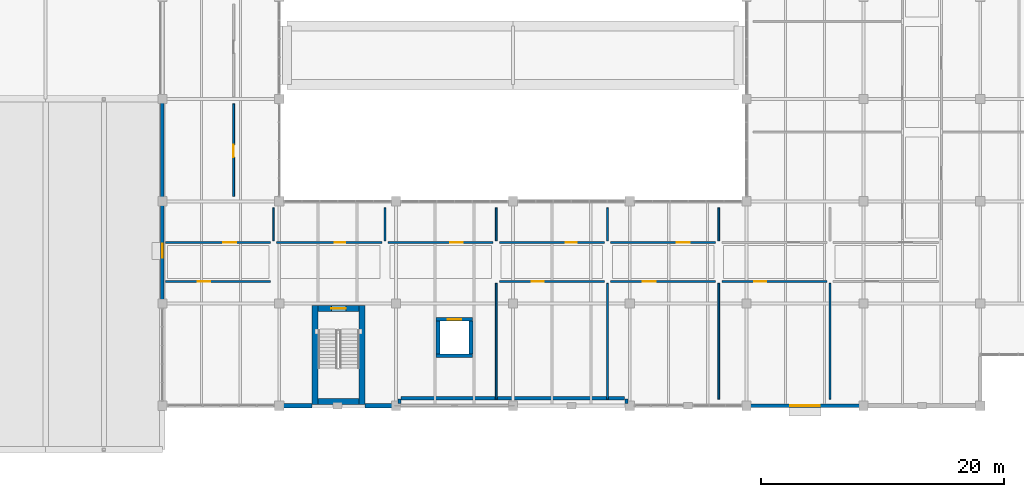
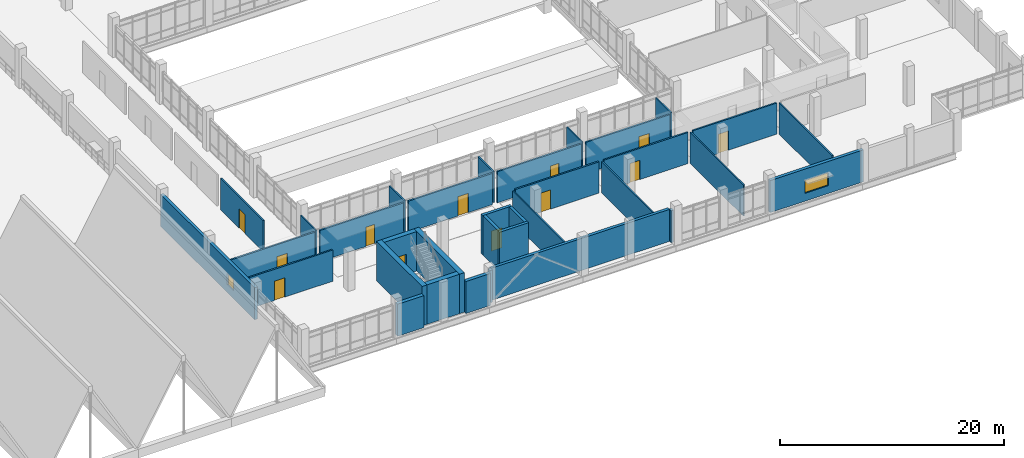
# One storey, part 60 of 86: 34 walls, 12 doors, 2 windows, 14 openings.
"""IFC4 building model written with IfcOpenShell, lengths in metres."""

from ifc_helpers import new_model, si_unit, direction, frame, frame_2d, origin, place, context, subcontext, project, spatial, rectangle, extrude, material, layer, layer_set, type_object, element, fill, save


model = new_model("IFC4")

# Units and contexts
model_context = context("Model", 3, precision=1e-05, world=origin(), true_north=direction((0.0, 1.0)))
body_context = subcontext(model_context, "Body", "Model", "MODEL_VIEW")
ifc_project = project(units=[si_unit("LENGTHUNIT", "METRE"), si_unit("AREAUNIT", "SQUARE_METRE"), si_unit("VOLUMEUNIT", "CUBIC_METRE"), si_unit("PLANEANGLEUNIT", "RADIAN"), si_unit("MASSUNIT", "GRAM", prefix="KILO")], contexts=[model_context])

# Site, building, storey
site_placement = place(None, origin())
site = spatial("IfcSite", under=ifc_project, at=site_placement, CompositionType="ELEMENT")
building_placement = place(site_placement, origin())
building = spatial("IfcBuilding", under=site, at=building_placement, Name="Oolite Switchyard Hospital", CompositionType="ELEMENT")
storey_placement = place(building_placement, frame((0.0, 0.0, 13.5)))
storey = spatial("IfcBuildingStorey", under=building, at=storey_placement, Name="L03", CompositionType="ELEMENT", Elevation=13.5)

# Walls
ifc_material_1 = material(Name="Precast oolitic limestone architectural concrete C40/50", Category="masonry")
ifc_layer_1 = layer(ifc_material_1, 0.260009765625)
ifc_layer_set_1 = layer_set([ifc_layer_1], Name="WAL-EXT-260")
wall_type_1 = type_object("IfcWallType", Name="WAL-EXT-260", PredefinedType="SOLIDWALL", material=ifc_layer_set_1)
for number, where, z_axis, x_axis, name in (
    (1, (172.52001953125, 8.60009765625, 0.0), (0.0, 0.0, 1.0), (0.0, 1.0, 0.0), "L03 Brace Alcove Cheek Wall 172"),
    (2, (153.8798828125, 8.60009765625, 0.0), (0.0, 0.0, 1.0), (0.0, 1.0, 0.0), "L03 Brace Alcove Cheek Wall 173"),
):
    element("IfcWall", number, at=place(storey_placement, frame(where, z_axis=z_axis, x_axis=x_axis)), inside=storey, type_object=wall_type_1, Name=name, PredefinedType="SOLIDWALL", context=body_context, shape_type="SweptSolid", body=[
        extrude(rectangle(XDim=0.35986328125, YDim=0.260009765625, at=frame_2d((0.179931640625, 0.0))), origin(), (0.0, 0.0, 1.0), 3.489990234375),
    ])
ifc_layer_2 = layer(ifc_material_1, 0.300048828125)
ifc_layer_set_2 = layer_set([ifc_layer_2], Name="WAL-EXT-300")
wall_type_2 = type_object("IfcWallType", Name="WAL-EXT-300", PredefinedType="SOLIDWALL", material=ifc_layer_set_2)
wall_1_placement = place(storey_placement, frame((172.3798828125, 9.02001953125, 0.0), z_axis=(0.0, 0.0, 1.0), x_axis=(-1.0, 0.0, 0.0)))
element("IfcWall", 3, at=wall_1_placement, inside=storey, type_object=wall_type_2, Name="L03 Exterior Spandrel Wall 174", PredefinedType="SOLIDWALL", context=body_context, shape_type="SweptSolid", body=[
    extrude(rectangle(XDim=18.35986328125, YDim=0.300048828125, at=frame_2d((9.179931640625, 0.0))), origin(), (0.0, 0.0, 1.0), 3.489990234375),
])

# Wall, opening, window
wall_2_placement = place(storey_placement, frame((134.39990234375, 16.800048828125, 0.0), z_axis=(0.0, 0.0, 1.0), x_axis=(0.0, 1.0, 0.0)))
wall_2 = element("IfcWall", 4, at=wall_2_placement, inside=storey, type_object=wall_type_2, Name="L03 Exterior Spandrel Wall 237", PredefinedType="SOLIDWALL", context=body_context, shape_type="SweptSolid", body=[
    extrude(rectangle(XDim=16.800048828125, YDim=0.300048828125, at=frame_2d((8.39990234375, 0.0))), origin(), (0.0, 0.0, 1.0), 3.489990234375),
])
opening_1_placement = place(wall_2_placement, frame((3.756103515625, 0.0, 0.85009765625)))
opening_1 = element("IfcOpeningElement", 5, at=opening_1_placement, cuts=wall_2, Name="Opening WN-0139", PredefinedType="OPENING", context=body_context, shape_type="SweptSolid", body=[
    extrude(rectangle(XDim=1.14990234375, YDim=1.199951171875, at=frame_2d((0.574951171875, 0.60009765625))), frame((0.0, 0.16015625, 0.0), z_axis=(0.0, -1.0, 0.0), x_axis=(1.0, 0.0, 0.0)), (0.0, 0.0, 1.0), 0.320068359375),
])
ifc_material_2 = material(Name="Thermally broken aluminum frame with laminated impact glazing", Category="aluminium")
window_type_1 = type_object("IfcWindowType", Name="WIN-IMP-115X120", PartitioningType="SINGLE_PANEL", PredefinedType="WINDOW", material=ifc_material_2)
window_1_placement = place(opening_1_placement, origin())
window_1 = element("IfcWindow", 6, at=window_1_placement, inside=storey, type_object=window_type_1, Name="L03 Hurricane Impact Window WN-0139", OverallHeight=1.199951171875, OverallWidth=1.14990234375, PartitioningType="SINGLE_PANEL", PredefinedType="WINDOW", context=body_context, shape_type="SweptSolid", body=[
    extrude(rectangle(XDim=1.14990234375, YDim=1.199951171875, at=frame_2d((0.574951171875, 0.60009765625))), frame((0.0, 0.030029296875, 0.0), z_axis=(0.0, -1.0, 0.0), x_axis=(1.0, 0.0, 0.0)), (0.0, 0.0, 1.0), 0.06005859375),
])
fill(opening_1, window_1)

ifc_layer_3 = layer(ifc_material_1, 0.320068359375)
ifc_layer_set_3 = layer_set([ifc_layer_3], Name="WAL-EXT-320")
wall_type_3 = type_object("IfcWallType", Name="WAL-EXT-320", PredefinedType="SOLIDWALL", material=ifc_layer_set_3)
wall_3_placement = place(storey_placement, frame((192.0, 8.39990234375, 0.0), z_axis=(0.0, 0.0, 1.0), x_axis=(-1.0, 0.0, 0.0)))
wall_3 = element("IfcWall", 7, at=wall_3_placement, inside=storey, type_object=wall_type_3, Name="L03 Exterior Spandrel Wall 175", PredefinedType="SOLIDWALL", context=body_context, shape_type="SweptSolid", body=[
    extrude(rectangle(XDim=9.60009765625, YDim=0.320068359375, at=frame_2d((4.800048828125, 0.0))), origin(), (0.0, 0.0, 1.0), 3.489990234375),
])
opening_2_placement = place(wall_3_placement, frame((3.60009765625, 0.0, 0.85009765625)))
opening_2 = element("IfcOpeningElement", 8, at=opening_2_placement, cuts=wall_3, Name="Opening WN-0065", PredefinedType="OPENING", context=body_context, shape_type="SweptSolid", body=[
    extrude(rectangle(XDim=2.39990234375, YDim=1.39990234375, at=frame_2d((1.199951171875, 0.699951171875))), frame((0.0, 0.169921875, 0.0), z_axis=(0.0, -1.0, 0.0), x_axis=(1.0, 0.0, 0.0)), (0.0, 0.0, 1.0), 0.340087890625),
])
window_type_2 = type_object("IfcWindowType", Name="WIN-IMP-240X140", PartitioningType="SINGLE_PANEL", PredefinedType="WINDOW", material=ifc_material_2)
window_2_placement = place(opening_2_placement, origin())
window_2 = element("IfcWindow", 9, at=window_2_placement, inside=storey, type_object=window_type_2, Name="L03 Hurricane Impact Window WN-0065", OverallHeight=1.39990234375, OverallWidth=2.39990234375, PartitioningType="SINGLE_PANEL", PredefinedType="WINDOW", context=body_context, shape_type="SweptSolid", body=[
    extrude(rectangle(XDim=2.39990234375, YDim=1.39990234375, at=frame_2d((1.199951171875, 0.699951171875))), frame((0.0, 0.030029296875, 0.0), z_axis=(0.0, -1.0, 0.0), x_axis=(1.0, 0.0, 0.0)), (0.0, 0.0, 1.0), 0.06005859375),
])
fill(opening_2, window_2)

# Walls
ifc_layer_4 = layer(ifc_material_1, 0.360107421875)
ifc_layer_set_4 = layer_set([ifc_layer_4], Name="WAL-EXT-360")
wall_type_4 = type_object("IfcWallType", Name="WAL-EXT-360", PredefinedType="SOLIDWALL", material=ifc_layer_set_4)
wall_4_placement = place(storey_placement, frame((153.60009765625, 8.39990234375, 0.0), z_axis=(0.0, 0.0, 1.0), x_axis=(-1.0, 0.0, 0.0)))
element("IfcWall", 10, at=wall_4_placement, inside=storey, type_object=wall_type_4, Name="L03 Exterior Spandrel Wall 170", PredefinedType="SOLIDWALL", context=body_context, shape_type="SweptSolid", body=[
    extrude(rectangle(XDim=2.5400390625, YDim=0.360107421875, at=frame_2d((1.27001953125, 0.0))), origin(), (0.0, 0.0, 1.0), 3.489990234375),
])
ifc_layer_5 = layer(ifc_material_1, 0.3798828125)
ifc_layer_set_5 = layer_set([ifc_layer_5], Name="WAL-EXT-380")
wall_type_5 = type_object("IfcWallType", Name="WAL-EXT-380", PredefinedType="SOLIDWALL", material=ifc_layer_set_5)
wall_5_placement = place(storey_placement, frame((146.699951171875, 8.39990234375, 0.0), z_axis=(0.0, 0.0, 1.0), x_axis=(-1.0, 0.0, 0.0)))
element("IfcWall", 11, at=wall_5_placement, inside=storey, type_object=wall_type_5, Name="L03 Exterior Spandrel Wall 171", PredefinedType="SOLIDWALL", context=body_context, shape_type="SweptSolid", body=[
    extrude(rectangle(XDim=2.699951171875, YDim=0.3798828125, at=frame_2d((1.35009765625, 0.0))), origin(), (0.0, 0.0, 1.0), 3.489990234375),
])
ifc_material_3 = material(Name="Moisture-resistant gypsum board on steel studs", Category="steel")
ifc_layer_6 = layer(ifc_material_3, 0.135009765625)
ifc_layer_set_6 = layer_set([ifc_layer_6], Name="WAL-PART-135")
wall_type_6 = type_object("IfcWallType", Name="WAL-PART-135", PredefinedType="PARTITIONING", material=ifc_layer_set_6)
for number, where, z_axis, x_axis, name in (
    (12, (143.54296875, 21.949951171875, 0.0), (0.0, 0.0, 1.0), (0.0, 1.0, 0.0), "L03 Interior Partition 705"),
    (13, (152.68603515625, 21.949951171875, 0.0), (0.0, 0.0, 1.0), (0.0, 1.0, 0.0), "L03 Interior Partition 707"),
):
    element("IfcWall", number, at=place(storey_placement, frame(where, z_axis=z_axis, x_axis=x_axis)), inside=storey, type_object=wall_type_6, Name=name, PredefinedType="PARTITIONING", context=body_context, shape_type="SweptSolid", body=[
        extrude(rectangle(XDim=2.699951171875, YDim=0.135009765625, at=frame_2d((1.35009765625, 0.0))), origin(), (0.0, 0.0, 1.0), 3.39990234375),
    ])
wall_6_placement = place(storey_placement, frame((161.8291015625, 8.949951171875, 0.0), z_axis=(0.0, 0.0, 1.0), x_axis=(0.0, 1.0, 0.0)))
element("IfcWall", 14, at=wall_6_placement, inside=storey, type_object=wall_type_6, Name="L03 Interior Partition 709", PredefinedType="PARTITIONING", context=body_context, shape_type="SweptSolid", body=[
    extrude(rectangle(XDim=9.5, YDim=0.135009765625, at=frame_2d((4.75, 0.0))), origin(), (0.0, 0.0, 1.0), 3.39990234375),
])
wall_7_placement = place(storey_placement, frame((161.8291015625, 21.949951171875, 0.0), z_axis=(0.0, 0.0, 1.0), x_axis=(0.0, 1.0, 0.0)))
element("IfcWall", 15, at=wall_7_placement, inside=storey, type_object=wall_type_6, Name="L03 Interior Partition 711", PredefinedType="PARTITIONING", context=body_context, shape_type="SweptSolid", body=[
    extrude(rectangle(XDim=2.699951171875, YDim=0.135009765625, at=frame_2d((1.35009765625, 0.0))), origin(), (0.0, 0.0, 1.0), 3.39990234375),
])
wall_8_placement = place(storey_placement, frame((170.971923828125, 8.949951171875, 0.0), z_axis=(0.0, 0.0, 1.0), x_axis=(0.0, 1.0, 0.0)))
element("IfcWall", 16, at=wall_8_placement, inside=storey, type_object=wall_type_6, Name="L03 Interior Partition 713", PredefinedType="PARTITIONING", context=body_context, shape_type="SweptSolid", body=[
    extrude(rectangle(XDim=9.5, YDim=0.135009765625, at=frame_2d((4.75, 0.0))), origin(), (0.0, 0.0, 1.0), 3.39990234375),
])
wall_9_placement = place(storey_placement, frame((170.971923828125, 21.949951171875, 0.0), z_axis=(0.0, 0.0, 1.0), x_axis=(0.0, 1.0, 0.0)))
element("IfcWall", 17, at=wall_9_placement, inside=storey, type_object=wall_type_6, Name="L03 Interior Partition 715", PredefinedType="PARTITIONING", context=body_context, shape_type="SweptSolid", body=[
    extrude(rectangle(XDim=2.699951171875, YDim=0.135009765625, at=frame_2d((1.35009765625, 0.0))), origin(), (0.0, 0.0, 1.0), 3.39990234375),
])
wall_10_placement = place(storey_placement, frame((180.114990234375, 8.949951171875, 0.0), z_axis=(0.0, 0.0, 1.0), x_axis=(0.0, 1.0, 0.0)))
element("IfcWall", 18, at=wall_10_placement, inside=storey, type_object=wall_type_6, Name="L03 Interior Partition 717", PredefinedType="PARTITIONING", context=body_context, shape_type="SweptSolid", body=[
    extrude(rectangle(XDim=9.5, YDim=0.135009765625, at=frame_2d((4.75, 0.0))), origin(), (0.0, 0.0, 1.0), 3.39990234375),
])
wall_11_placement = place(storey_placement, frame((180.114990234375, 21.949951171875, 0.0), z_axis=(0.0, 0.0, 1.0), x_axis=(0.0, 1.0, 0.0)))
element("IfcWall", 19, at=wall_11_placement, inside=storey, type_object=wall_type_6, Name="L03 Interior Partition 719", PredefinedType="PARTITIONING", context=body_context, shape_type="SweptSolid", body=[
    extrude(rectangle(XDim=2.699951171875, YDim=0.135009765625, at=frame_2d((1.35009765625, 0.0))), origin(), (0.0, 0.0, 1.0), 3.39990234375),
])
wall_12_placement = place(storey_placement, frame((189.258056640625, 8.949951171875, 0.0), z_axis=(0.0, 0.0, 1.0), x_axis=(0.0, 1.0, 0.0)))
element("IfcWall", 20, at=wall_12_placement, inside=storey, type_object=wall_type_6, Name="L03 Interior Partition 721", PredefinedType="PARTITIONING", context=body_context, shape_type="SweptSolid", body=[
    extrude(rectangle(XDim=9.5, YDim=0.135009765625, at=frame_2d((4.75, 0.0))), origin(), (0.0, 0.0, 1.0), 3.39990234375),
])

# Wall, opening, door
ifc_layer_7 = layer(ifc_material_3, 0.14990234375)
ifc_layer_set_7 = layer_set([ifc_layer_7], Name="WAL-PART-150")
wall_type_7 = type_object("IfcWallType", Name="WAL-PART-150", PredefinedType="PARTITIONING", material=ifc_layer_set_7)
wall_13_placement = place(storey_placement, frame((140.25, 25.60009765625, 0.0), z_axis=(0.0, 0.0, 1.0), x_axis=(0.0, 1.0, 0.0)))
wall_13 = element("IfcWall", 21, at=wall_13_placement, inside=storey, type_object=wall_type_7, Name="L03 Interior Partition 981", PredefinedType="PARTITIONING", context=body_context, shape_type="SweptSolid", body=[
    extrude(rectangle(XDim=7.599853515625, YDim=0.14990234375, at=frame_2d((3.7998046875, 0.0))), origin(), (0.0, 0.0, 1.0), 3.39990234375),
])
opening_3_placement = place(wall_13_placement, frame((3.199951171875, 0.0, 0.0)))
opening_3 = element("IfcOpeningElement", 22, at=opening_3_placement, cuts=wall_13, Name="Opening D-0549", PredefinedType="OPENING", context=body_context, shape_type="SweptSolid", body=[
    extrude(rectangle(XDim=1.050048828125, YDim=2.10009765625, at=frame_2d((0.52490234375, 1.050048828125))), frame((0.0, 0.0849609375, 0.0), z_axis=(0.0, -1.0, 0.0), x_axis=(1.0, 0.0, 0.0)), (0.0, 0.0, 1.0), 0.169921875),
])
ifc_material_4 = material(Name="Solid-core antimicrobial hardwood leaf in steel frame", Category="steel")
door_type_1 = type_object("IfcDoorType", Name="DR-EXAM-105X210", OperationType="NOTDEFINED", PredefinedType="DOOR", material=ifc_material_4)
door_1_placement = place(opening_3_placement, origin())
door_1 = element("IfcDoor", 23, at=door_1_placement, inside=storey, type_object=door_type_1, Name="L03 Interior Door D-0549", OperationType="SINGLE_SWING_LEFT", OverallHeight=2.10009765625, OverallWidth=1.050048828125, PredefinedType="DOOR", context=body_context, shape_type="SweptSolid", body=[
    extrude(rectangle(XDim=1.050048828125, YDim=2.10009765625, at=frame_2d((0.52490234375, 1.050048828125))), frame((0.0, 0.02490234375, 0.0), z_axis=(0.0, -1.0, 0.0), x_axis=(1.0, 0.0, 0.0)), (0.0, 0.0, 1.0), 0.050048828125),
])
fill(opening_3, door_1)

ifc_layer_8 = layer(ifc_material_3, 0.1650390625)
ifc_layer_set_8 = layer_set([ifc_layer_8], Name="WAL-PART-165")
wall_type_8 = type_object("IfcWallType", Name="WAL-PART-165", PredefinedType="PARTITIONING", material=ifc_layer_set_8)
wall_14_placement = place(storey_placement, frame((134.64990234375, 18.60009765625, 0.0), z_axis=(0.0, 0.0, 1.0), x_axis=(1.0, 0.0, 0.0)))
wall_14 = element("IfcWall", 24, at=wall_14_placement, inside=storey, type_object=wall_type_8, Name="L03 Interior Partition 702", PredefinedType="PARTITIONING", context=body_context, shape_type="SweptSolid", body=[
    extrude(rectangle(XDim=8.64306640625, YDim=0.1650390625, at=frame_2d((4.321533203125, 0.0))), origin(), (0.0, 0.0, 1.0), 3.39990234375),
])
opening_4_placement = place(wall_14_placement, frame((2.64990234375, 0.0, 0.0)))
opening_4 = element("IfcOpeningElement", 25, at=opening_4_placement, cuts=wall_14, Name="Opening D-0391", PredefinedType="OPENING", context=body_context, shape_type="SweptSolid", body=[
    extrude(rectangle(XDim=1.050048828125, YDim=2.10009765625, at=frame_2d((0.52490234375, 1.050048828125))), frame((0.0, 0.092529296875, 0.0), z_axis=(0.0, -1.0, 0.0), x_axis=(1.0, 0.0, 0.0)), (0.0, 0.0, 1.0), 0.18505859375),
])
door_2_placement = place(opening_4_placement, origin())
door_2 = element("IfcDoor", 26, at=door_2_placement, inside=storey, type_object=door_type_1, Name="L03 Interior Door D-0391", OperationType="SINGLE_SWING_LEFT", OverallHeight=2.10009765625, OverallWidth=1.050048828125, PredefinedType="DOOR", context=body_context, shape_type="SweptSolid", body=[
    extrude(rectangle(XDim=1.050048828125, YDim=2.10009765625, at=frame_2d((0.52490234375, 1.050048828125))), frame((0.0, 0.02490234375, 0.0), z_axis=(0.0, -1.0, 0.0), x_axis=(1.0, 0.0, 0.0)), (0.0, 0.0, 1.0), 0.050048828125),
])
fill(opening_4, door_2)

wall_15_placement = place(storey_placement, frame((134.64990234375, 21.800048828125, 0.0), z_axis=(0.0, 0.0, 1.0), x_axis=(1.0, 0.0, 0.0)))
wall_15 = element("IfcWall", 27, at=wall_15_placement, inside=storey, type_object=wall_type_8, Name="L03 Interior Partition 703", PredefinedType="PARTITIONING", context=body_context, shape_type="SweptSolid", body=[
    extrude(rectangle(XDim=8.64306640625, YDim=0.1650390625, at=frame_2d((4.321533203125, 0.0))), origin(), (0.0, 0.0, 1.0), 3.39990234375),
])
opening_5_placement = place(wall_15_placement, frame((4.75, 0.0, 0.0)))
opening_5 = element("IfcOpeningElement", 28, at=opening_5_placement, cuts=wall_15, Name="Opening D-0392", PredefinedType="OPENING", context=body_context, shape_type="SweptSolid", body=[
    extrude(rectangle(XDim=1.050048828125, YDim=2.10009765625, at=frame_2d((0.52490234375, 1.050048828125))), frame((0.0, 0.092529296875, 0.0), z_axis=(0.0, -1.0, 0.0), x_axis=(1.0, 0.0, 0.0)), (0.0, 0.0, 1.0), 0.18505859375),
])
door_3_placement = place(opening_5_placement, origin())
door_3 = element("IfcDoor", 29, at=door_3_placement, inside=storey, type_object=door_type_1, Name="L03 Interior Door D-0392", OperationType="SINGLE_SWING_RIGHT", OverallHeight=2.10009765625, OverallWidth=1.050048828125, PredefinedType="DOOR", context=body_context, shape_type="SweptSolid", body=[
    extrude(rectangle(XDim=1.050048828125, YDim=2.10009765625, at=frame_2d((0.52490234375, 1.050048828125))), frame((0.0, 0.02490234375, 0.0), z_axis=(0.0, -1.0, 0.0), x_axis=(1.0, 0.0, 0.0)), (0.0, 0.0, 1.0), 0.050048828125),
])
fill(opening_5, door_3)

wall_16_placement = place(storey_placement, frame((143.79296875, 21.800048828125, 0.0), z_axis=(0.0, 0.0, 1.0), x_axis=(1.0, 0.0, 0.0)))
wall_16 = element("IfcWall", 30, at=wall_16_placement, inside=storey, type_object=wall_type_8, Name="L03 Interior Partition 704", PredefinedType="PARTITIONING", context=body_context, shape_type="SweptSolid", body=[
    extrude(rectangle(XDim=8.64306640625, YDim=0.1650390625, at=frame_2d((4.321533203125, 0.0))), origin(), (0.0, 0.0, 1.0), 3.39990234375),
])
opening_6_placement = place(wall_16_placement, frame((4.75, 0.0, 0.0)))
opening_6 = element("IfcOpeningElement", 31, at=opening_6_placement, cuts=wall_16, Name="Opening D-0393", PredefinedType="OPENING", context=body_context, shape_type="SweptSolid", body=[
    extrude(rectangle(XDim=0.89990234375, YDim=2.10009765625, at=frame_2d((0.449951171875, 1.050048828125))), frame((0.0, 0.092529296875, 0.0), z_axis=(0.0, -1.0, 0.0), x_axis=(1.0, 0.0, 0.0)), (0.0, 0.0, 1.0), 0.18505859375),
])
door_type_2 = type_object("IfcDoorType", Name="DR-BATH-090X210", OperationType="NOTDEFINED", PredefinedType="DOOR", material=ifc_material_4)
door_4_placement = place(opening_6_placement, origin())
door_4 = element("IfcDoor", 32, at=door_4_placement, inside=storey, type_object=door_type_2, Name="L03 Interior Door D-0393", OperationType="SINGLE_SWING_LEFT", OverallHeight=2.10009765625, OverallWidth=0.89990234375, PredefinedType="DOOR", context=body_context, shape_type="SweptSolid", body=[
    extrude(rectangle(XDim=0.89990234375, YDim=2.10009765625, at=frame_2d((0.449951171875, 1.050048828125))), frame((0.0, 0.02490234375, 0.0), z_axis=(0.0, -1.0, 0.0), x_axis=(1.0, 0.0, 0.0)), (0.0, 0.0, 1.0), 0.050048828125),
])
fill(opening_6, door_4)

wall_17_placement = place(storey_placement, frame((152.93603515625, 21.800048828125, 0.0), z_axis=(0.0, 0.0, 1.0), x_axis=(1.0, 0.0, 0.0)))
wall_17 = element("IfcWall", 33, at=wall_17_placement, inside=storey, type_object=wall_type_8, Name="L03 Interior Partition 706", PredefinedType="PARTITIONING", context=body_context, shape_type="SweptSolid", body=[
    extrude(rectangle(XDim=8.64306640625, YDim=0.1650390625, at=frame_2d((4.321533203125, 0.0))), origin(), (0.0, 0.0, 1.0), 3.39990234375),
])
opening_7_placement = place(wall_17_placement, frame((5.10009765625, 0.0, 0.0)))
opening_7 = element("IfcOpeningElement", 34, at=opening_7_placement, cuts=wall_17, Name="Opening D-0394", PredefinedType="OPENING", context=body_context, shape_type="SweptSolid", body=[
    extrude(rectangle(XDim=1.050048828125, YDim=2.10009765625, at=frame_2d((0.52490234375, 1.050048828125))), frame((0.0, 0.092529296875, 0.0), z_axis=(0.0, -1.0, 0.0), x_axis=(1.0, 0.0, 0.0)), (0.0, 0.0, 1.0), 0.18505859375),
])
door_5_placement = place(opening_7_placement, origin())
door_5 = element("IfcDoor", 35, at=door_5_placement, inside=storey, type_object=door_type_1, Name="L03 Interior Door D-0394", OperationType="SINGLE_SWING_RIGHT", OverallHeight=2.10009765625, OverallWidth=1.050048828125, PredefinedType="DOOR", context=body_context, shape_type="SweptSolid", body=[
    extrude(rectangle(XDim=1.050048828125, YDim=2.10009765625, at=frame_2d((0.52490234375, 1.050048828125))), frame((0.0, 0.02490234375, 0.0), z_axis=(0.0, -1.0, 0.0), x_axis=(1.0, 0.0, 0.0)), (0.0, 0.0, 1.0), 0.050048828125),
])
fill(opening_7, door_5)

wall_18_placement = place(storey_placement, frame((162.0791015625, 18.60009765625, 0.0), z_axis=(0.0, 0.0, 1.0), x_axis=(1.0, 0.0, 0.0)))
wall_18 = element("IfcWall", 36, at=wall_18_placement, inside=storey, type_object=wall_type_8, Name="L03 Interior Partition 708", PredefinedType="PARTITIONING", context=body_context, shape_type="SweptSolid", body=[
    extrude(rectangle(XDim=8.642822265625, YDim=0.1650390625, at=frame_2d((4.3212890625, 0.0))), origin(), (0.0, 0.0, 1.0), 3.39990234375),
])
opening_8_placement = place(wall_18_placement, frame((2.64990234375, 0.0, 0.0)))
opening_8 = element("IfcOpeningElement", 37, at=opening_8_placement, cuts=wall_18, Name="Opening D-0395", PredefinedType="OPENING", context=body_context, shape_type="SweptSolid", body=[
    extrude(rectangle(XDim=1.0, YDim=2.10009765625, at=frame_2d((0.5, 1.050048828125))), frame((0.0, 0.092529296875, 0.0), z_axis=(0.0, -1.0, 0.0), x_axis=(1.0, 0.0, 0.0)), (0.0, 0.0, 1.0), 0.18505859375),
])
door_type_3 = type_object("IfcDoorType", Name="DR-EXAM-100X210", OperationType="NOTDEFINED", PredefinedType="DOOR", material=ifc_material_4)
door_6_placement = place(opening_8_placement, origin())
door_6 = element("IfcDoor", 38, at=door_6_placement, inside=storey, type_object=door_type_3, Name="L03 Interior Door D-0395", OperationType="SINGLE_SWING_RIGHT", OverallHeight=2.10009765625, OverallWidth=1.0, PredefinedType="DOOR", context=body_context, shape_type="SweptSolid", body=[
    extrude(rectangle(XDim=1.0, YDim=2.10009765625, at=frame_2d((0.5, 1.050048828125))), frame((0.0, 0.02490234375, 0.0), z_axis=(0.0, -1.0, 0.0), x_axis=(1.0, 0.0, 0.0)), (0.0, 0.0, 1.0), 0.050048828125),
])
fill(opening_8, door_6)

wall_19_placement = place(storey_placement, frame((162.0791015625, 21.800048828125, 0.0), z_axis=(0.0, 0.0, 1.0), x_axis=(1.0, 0.0, 0.0)))
wall_19 = element("IfcWall", 39, at=wall_19_placement, inside=storey, type_object=wall_type_8, Name="L03 Interior Partition 710", PredefinedType="PARTITIONING", context=body_context, shape_type="SweptSolid", body=[
    extrude(rectangle(XDim=8.642822265625, YDim=0.1650390625, at=frame_2d((4.3212890625, 0.0))), origin(), (0.0, 0.0, 1.0), 3.39990234375),
])
opening_9_placement = place(wall_19_placement, frame((5.449951171875, 0.0, 0.0)))
opening_9 = element("IfcOpeningElement", 40, at=opening_9_placement, cuts=wall_19, Name="Opening D-0396", PredefinedType="OPENING", context=body_context, shape_type="SweptSolid", body=[
    extrude(rectangle(XDim=0.89990234375, YDim=2.10009765625, at=frame_2d((0.449951171875, 1.050048828125))), frame((0.0, 0.092529296875, 0.0), z_axis=(0.0, -1.0, 0.0), x_axis=(1.0, 0.0, 0.0)), (0.0, 0.0, 1.0), 0.18505859375),
])
door_7_placement = place(opening_9_placement, origin())
door_7 = element("IfcDoor", 41, at=door_7_placement, inside=storey, type_object=door_type_2, Name="L03 Interior Door D-0396", OperationType="SINGLE_SWING_LEFT", OverallHeight=2.10009765625, OverallWidth=0.89990234375, PredefinedType="DOOR", context=body_context, shape_type="SweptSolid", body=[
    extrude(rectangle(XDim=0.89990234375, YDim=2.10009765625, at=frame_2d((0.449951171875, 1.050048828125))), frame((0.0, 0.02490234375, 0.0), z_axis=(0.0, -1.0, 0.0), x_axis=(1.0, 0.0, 0.0)), (0.0, 0.0, 1.0), 0.050048828125),
])
fill(opening_9, door_7)

wall_20_placement = place(storey_placement, frame((171.221923828125, 18.60009765625, 0.0), z_axis=(0.0, 0.0, 1.0), x_axis=(1.0, 0.0, 0.0)))
wall_20 = element("IfcWall", 42, at=wall_20_placement, inside=storey, type_object=wall_type_8, Name="L03 Interior Partition 712", PredefinedType="PARTITIONING", context=body_context, shape_type="SweptSolid", body=[
    extrude(rectangle(XDim=8.64306640625, YDim=0.1650390625, at=frame_2d((4.321533203125, 0.0))), origin(), (0.0, 0.0, 1.0), 3.39990234375),
])
opening_10_placement = place(wall_20_placement, frame((2.64990234375, 0.0, 0.0)))
opening_10 = element("IfcOpeningElement", 43, at=opening_10_placement, cuts=wall_20, Name="Opening D-0397", PredefinedType="OPENING", context=body_context, shape_type="SweptSolid", body=[
    extrude(rectangle(XDim=1.050048828125, YDim=2.10009765625, at=frame_2d((0.52490234375, 1.050048828125))), frame((0.0, 0.092529296875, 0.0), z_axis=(0.0, -1.0, 0.0), x_axis=(1.0, 0.0, 0.0)), (0.0, 0.0, 1.0), 0.18505859375),
])
door_8_placement = place(opening_10_placement, origin())
door_8 = element("IfcDoor", 44, at=door_8_placement, inside=storey, type_object=door_type_1, Name="L03 Interior Door D-0397", OperationType="SINGLE_SWING_LEFT", OverallHeight=2.10009765625, OverallWidth=1.050048828125, PredefinedType="DOOR", context=body_context, shape_type="SweptSolid", body=[
    extrude(rectangle(XDim=1.050048828125, YDim=2.10009765625, at=frame_2d((0.52490234375, 1.050048828125))), frame((0.0, 0.02490234375, 0.0), z_axis=(0.0, -1.0, 0.0), x_axis=(1.0, 0.0, 0.0)), (0.0, 0.0, 1.0), 0.050048828125),
])
fill(opening_10, door_8)

wall_21_placement = place(storey_placement, frame((171.221923828125, 21.800048828125, 0.0), z_axis=(0.0, 0.0, 1.0), x_axis=(1.0, 0.0, 0.0)))
wall_21 = element("IfcWall", 45, at=wall_21_placement, inside=storey, type_object=wall_type_8, Name="L03 Interior Partition 714", PredefinedType="PARTITIONING", context=body_context, shape_type="SweptSolid", body=[
    extrude(rectangle(XDim=8.64306640625, YDim=0.1650390625, at=frame_2d((4.321533203125, 0.0))), origin(), (0.0, 0.0, 1.0), 3.39990234375),
])
opening_11_placement = place(wall_21_placement, frame((5.449951171875, 0.0, 0.0)))
opening_11 = element("IfcOpeningElement", 46, at=opening_11_placement, cuts=wall_21, Name="Opening D-0398", PredefinedType="OPENING", context=body_context, shape_type="SweptSolid", body=[
    extrude(rectangle(XDim=1.050048828125, YDim=2.10009765625, at=frame_2d((0.52490234375, 1.050048828125))), frame((0.0, 0.092529296875, 0.0), z_axis=(0.0, -1.0, 0.0), x_axis=(1.0, 0.0, 0.0)), (0.0, 0.0, 1.0), 0.18505859375),
])
door_9_placement = place(opening_11_placement, origin())
door_9 = element("IfcDoor", 47, at=door_9_placement, inside=storey, type_object=door_type_1, Name="L03 Interior Door D-0398", OperationType="SINGLE_SWING_RIGHT", OverallHeight=2.10009765625, OverallWidth=1.050048828125, PredefinedType="DOOR", context=body_context, shape_type="SweptSolid", body=[
    extrude(rectangle(XDim=1.050048828125, YDim=2.10009765625, at=frame_2d((0.52490234375, 1.050048828125))), frame((0.0, 0.02490234375, 0.0), z_axis=(0.0, -1.0, 0.0), x_axis=(1.0, 0.0, 0.0)), (0.0, 0.0, 1.0), 0.050048828125),
])
fill(opening_11, door_9)

wall_22_placement = place(storey_placement, frame((180.364990234375, 18.60009765625, 0.0), z_axis=(0.0, 0.0, 1.0), x_axis=(1.0, 0.0, 0.0)))
wall_22 = element("IfcWall", 48, at=wall_22_placement, inside=storey, type_object=wall_type_8, Name="L03 Interior Partition 716", PredefinedType="PARTITIONING", context=body_context, shape_type="SweptSolid", body=[
    extrude(rectangle(XDim=8.64306640625, YDim=0.1650390625, at=frame_2d((4.321533203125, 0.0))), origin(), (0.0, 0.0, 1.0), 3.39990234375),
])
opening_12_placement = place(wall_22_placement, frame((2.64990234375, 0.0, 0.0)))
opening_12 = element("IfcOpeningElement", 49, at=opening_12_placement, cuts=wall_22, Name="Opening D-0399", PredefinedType="OPENING", context=body_context, shape_type="SweptSolid", body=[
    extrude(rectangle(XDim=1.0, YDim=2.10009765625, at=frame_2d((0.5, 1.050048828125))), frame((0.0, 0.092529296875, 0.0), z_axis=(0.0, -1.0, 0.0), x_axis=(1.0, 0.0, 0.0)), (0.0, 0.0, 1.0), 0.18505859375),
])
door_10_placement = place(opening_12_placement, origin())
door_10 = element("IfcDoor", 50, at=door_10_placement, inside=storey, type_object=door_type_3, Name="L03 Interior Door D-0399", OperationType="SINGLE_SWING_RIGHT", OverallHeight=2.10009765625, OverallWidth=1.0, PredefinedType="DOOR", context=body_context, shape_type="SweptSolid", body=[
    extrude(rectangle(XDim=1.0, YDim=2.10009765625, at=frame_2d((0.5, 1.050048828125))), frame((0.0, 0.02490234375, 0.0), z_axis=(0.0, -1.0, 0.0), x_axis=(1.0, 0.0, 0.0)), (0.0, 0.0, 1.0), 0.050048828125),
])
fill(opening_12, door_10)

# Walls
ifc_material_5 = material(Name="Concrete C50/60", Category="concrete")
ifc_layer_9 = layer(ifc_material_5, 0.300048828125)
ifc_layer_set_9 = layer_set([ifc_layer_9], Name="WAL-SHR-300")
wall_type_9 = type_object("IfcWallType", Name="WAL-SHR-300", PredefinedType="SHEAR", material=ifc_layer_set_9)
wall_23_placement = place(storey_placement, frame((156.89990234375, 12.5, 0.0), z_axis=(0.0, 0.0, 1.0), x_axis=(1.0, 0.0, 0.0)))
element("IfcWall", 51, at=wall_23_placement, inside=storey, type_object=wall_type_9, Name="L03 Lift Shaft Shear Wall EL-11", PredefinedType="SHEAR", context=body_context, shape_type="SweptSolid", body=[
    extrude(rectangle(XDim=3.0, YDim=0.300048828125, at=frame_2d((1.5, 0.0))), origin(), (0.0, 0.0, 1.0), 4.300048828125),
])
wall_24_placement = place(storey_placement, frame((159.75, 12.64990234375, 0.0), z_axis=(0.0, 0.0, 1.0), x_axis=(0.0, 1.0, 0.0)))
element("IfcWall", 52, at=wall_24_placement, inside=storey, type_object=wall_type_9, Name="L03 Lift Shaft Shear Wall EL-11", PredefinedType="SHEAR", context=body_context, shape_type="SweptSolid", body=[
    extrude(rectangle(XDim=2.7001953125, YDim=0.300048828125, at=frame_2d((1.35009765625, 0.0))), origin(), (0.0, 0.0, 1.0), 4.300048828125),
])

# Wall, opening, door
wall_25_placement = place(storey_placement, frame((159.89990234375, 15.5, 0.0), z_axis=(0.0, 0.0, 1.0), x_axis=(-1.0, 0.0, 0.0)))
wall_25 = element("IfcWall", 53, at=wall_25_placement, inside=storey, type_object=wall_type_9, Name="L03 Lift Shaft Shear Wall EL-11", PredefinedType="SHEAR", context=body_context, shape_type="SweptSolid", body=[
    extrude(rectangle(XDim=3.0, YDim=0.300048828125, at=frame_2d((1.5, 0.0))), origin(), (0.0, 0.0, 1.0), 4.300048828125),
])
opening_13_placement = place(wall_25_placement, frame((0.949951171875, 0.0, 0.0)))
opening_13 = element("IfcOpeningElement", 54, at=opening_13_placement, cuts=wall_25, Name="Opening LD-071", PredefinedType="OPENING", context=body_context, shape_type="SweptSolid", body=[
    extrude(rectangle(XDim=1.10009765625, YDim=2.199951171875, at=frame_2d((0.550048828125, 1.10009765625))), frame((0.0, 0.16015625, 0.0), z_axis=(0.0, -1.0, 0.0), x_axis=(1.0, 0.0, 0.0)), (0.0, 0.0, 1.0), 0.320068359375),
])
ifc_material_6 = material(Name="Brushed stainless steel fire-rated sliding landing door", Category="steel")
door_type_4 = type_object("IfcDoorType", Name="DR-LD-110X220", OperationType="NOTDEFINED", PredefinedType="DOOR", material=ifc_material_6)
door_11_placement = place(opening_13_placement, origin())
door_11 = element("IfcDoor", 55, at=door_11_placement, inside=storey, type_object=door_type_4, Name="L03 EL-11 Lift Landing Door LD-071", OperationType="SLIDING_TO_LEFT", OverallHeight=2.199951171875, OverallWidth=1.10009765625, PredefinedType="DOOR", context=body_context, shape_type="SweptSolid", body=[
    extrude(rectangle(XDim=1.10009765625, YDim=2.199951171875, at=frame_2d((0.550048828125, 1.10009765625))), frame((0.0, 0.02490234375, 0.0), z_axis=(0.0, -1.0, 0.0), x_axis=(1.0, 0.0, 0.0)), (0.0, 0.0, 1.0), 0.050048828125),
])
fill(opening_13, door_11)

# Walls
wall_26_placement = place(storey_placement, frame((157.050048828125, 15.35009765625, 0.0), z_axis=(0.0, 0.0, 1.0), x_axis=(0.0, -1.0, 0.0)))
element("IfcWall", 56, at=wall_26_placement, inside=storey, type_object=wall_type_9, Name="L03 Lift Shaft Shear Wall EL-11", PredefinedType="SHEAR", context=body_context, shape_type="SweptSolid", body=[
    extrude(rectangle(XDim=2.7001953125, YDim=0.300048828125, at=frame_2d((1.35009765625, 0.0))), origin(), (0.0, 0.0, 1.0), 4.300048828125),
])
ifc_layer_10 = layer(ifc_material_5, 0.5)
ifc_layer_set_10 = layer_set([ifc_layer_10], Name="WAL-SHR-500")
wall_type_10 = type_object("IfcWallType", Name="WAL-SHR-500", PredefinedType="SHEAR", material=ifc_layer_set_10)
wall_27_placement = place(storey_placement, frame((146.949951171875, 16.64990234375, 0.0), z_axis=(0.0, 0.0, 1.0), x_axis=(0.0, -1.0, 0.0)))
element("IfcWall", 57, at=wall_27_placement, inside=storey, type_object=wall_type_10, Name="L03 Core Shear Wall ST-05", PredefinedType="SHEAR", context=body_context, shape_type="SweptSolid", body=[
    extrude(rectangle(XDim=8.14990234375, YDim=0.5, at=frame_2d((4.074951171875, 0.0))), origin(), (0.0, 0.0, 1.0), 4.300048828125),
])
wall_28_placement = place(storey_placement, frame((147.199951171875, 8.75, 0.0), z_axis=(0.0, 0.0, 1.0), x_axis=(1.0, 0.0, 0.0)))
element("IfcWall", 58, at=wall_28_placement, inside=storey, type_object=wall_type_10, Name="L03 Core Shear Wall ST-05", PredefinedType="SHEAR", context=body_context, shape_type="SweptSolid", body=[
    extrude(rectangle(XDim=3.360107421875, YDim=0.5, at=frame_2d((1.68017578125, 0.0))), origin(), (0.0, 0.0, 1.0), 4.300048828125),
])
wall_29_placement = place(storey_placement, frame((150.81005859375, 8.5, 0.0), z_axis=(0.0, 0.0, 1.0), x_axis=(0.0, 1.0, 0.0)))
element("IfcWall", 59, at=wall_29_placement, inside=storey, type_object=wall_type_10, Name="L03 Core Shear Wall ST-05", PredefinedType="SHEAR", context=body_context, shape_type="SweptSolid", body=[
    extrude(rectangle(XDim=8.14990234375, YDim=0.5, at=frame_2d((4.074951171875, 0.0))), origin(), (0.0, 0.0, 1.0), 4.300048828125),
])

# Wall, opening, door
wall_30_placement = place(storey_placement, frame((150.56005859375, 16.39990234375, 0.0), z_axis=(0.0, 0.0, 1.0), x_axis=(-1.0, 0.0, 0.0)))
wall_30 = element("IfcWall", 60, at=wall_30_placement, inside=storey, type_object=wall_type_10, Name="L03 Core Shear Wall ST-05", PredefinedType="SHEAR", context=body_context, shape_type="SweptSolid", body=[
    extrude(rectangle(XDim=3.360107421875, YDim=0.5, at=frame_2d((1.68017578125, 0.0))), origin(), (0.0, 0.0, 1.0), 4.300048828125),
])
opening_14_placement = place(wall_30_placement, frame((1.080078125, 0.0, 0.0)))
opening_14 = element("IfcOpeningElement", 61, at=opening_14_placement, cuts=wall_30, Name="Opening SD-036", PredefinedType="OPENING", context=body_context, shape_type="SweptSolid", body=[
    extrude(rectangle(XDim=1.199951171875, YDim=2.199951171875, at=frame_2d((0.60009765625, 1.10009765625))), frame((0.0, 0.260009765625, 0.0), z_axis=(0.0, -1.0, 0.0), x_axis=(1.0, 0.0, 0.0)), (0.0, 0.0, 1.0), 0.52001953125),
])
ifc_material_7 = material(Name="Hollow metal fire-rated steel door assembly", Category="steel")
door_type_5 = type_object("IfcDoorType", Name="DR-STR-120X220", OperationType="NOTDEFINED", PredefinedType="DOOR", material=ifc_material_7)
door_12_placement = place(opening_14_placement, origin())
door_12 = element("IfcDoor", 62, at=door_12_placement, inside=storey, type_object=door_type_5, Name="L03 ST-05 Exit Stair Door SD-036", OperationType="SINGLE_SWING_RIGHT", OverallHeight=2.199951171875, OverallWidth=1.199951171875, PredefinedType="DOOR", context=body_context, shape_type="SweptSolid", body=[
    extrude(rectangle(XDim=1.199951171875, YDim=2.199951171875, at=frame_2d((0.60009765625, 1.10009765625))), frame((0.0, 0.02490234375, 0.0), z_axis=(0.0, -1.0, 0.0), x_axis=(1.0, 0.0, 0.0)), (0.0, 0.0, 1.0), 0.050048828125),
])
fill(opening_14, door_12)

save(model, "model.ifc")
